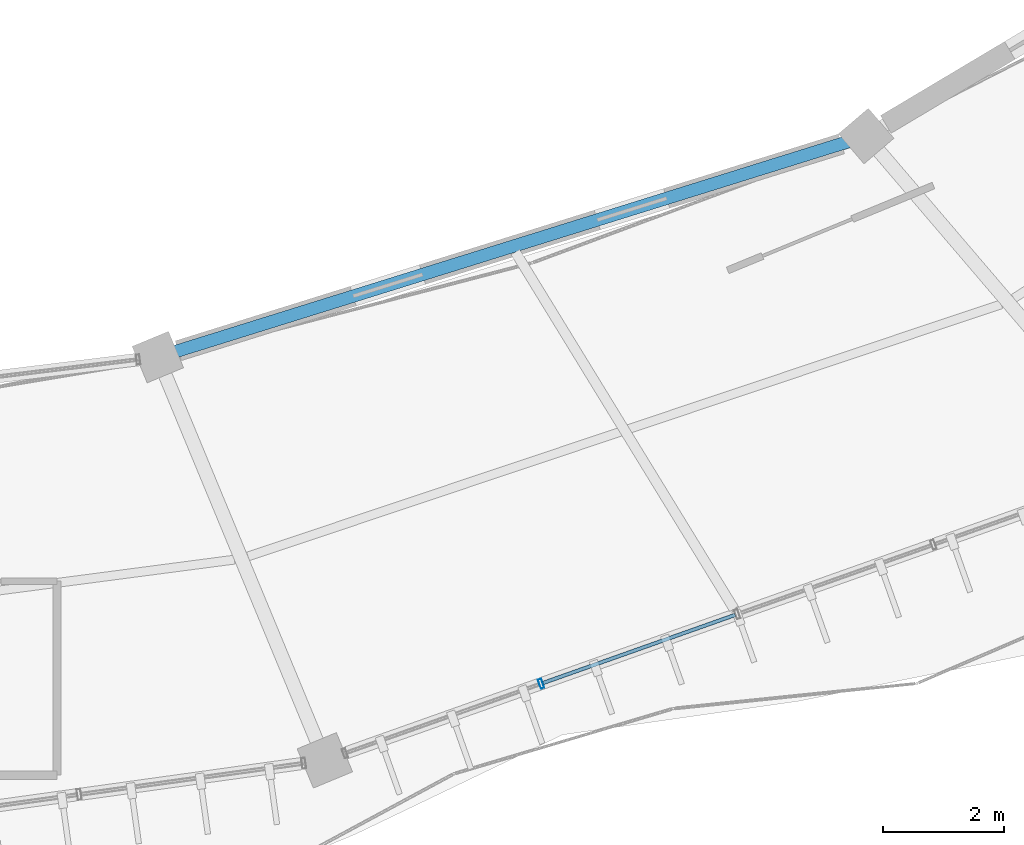
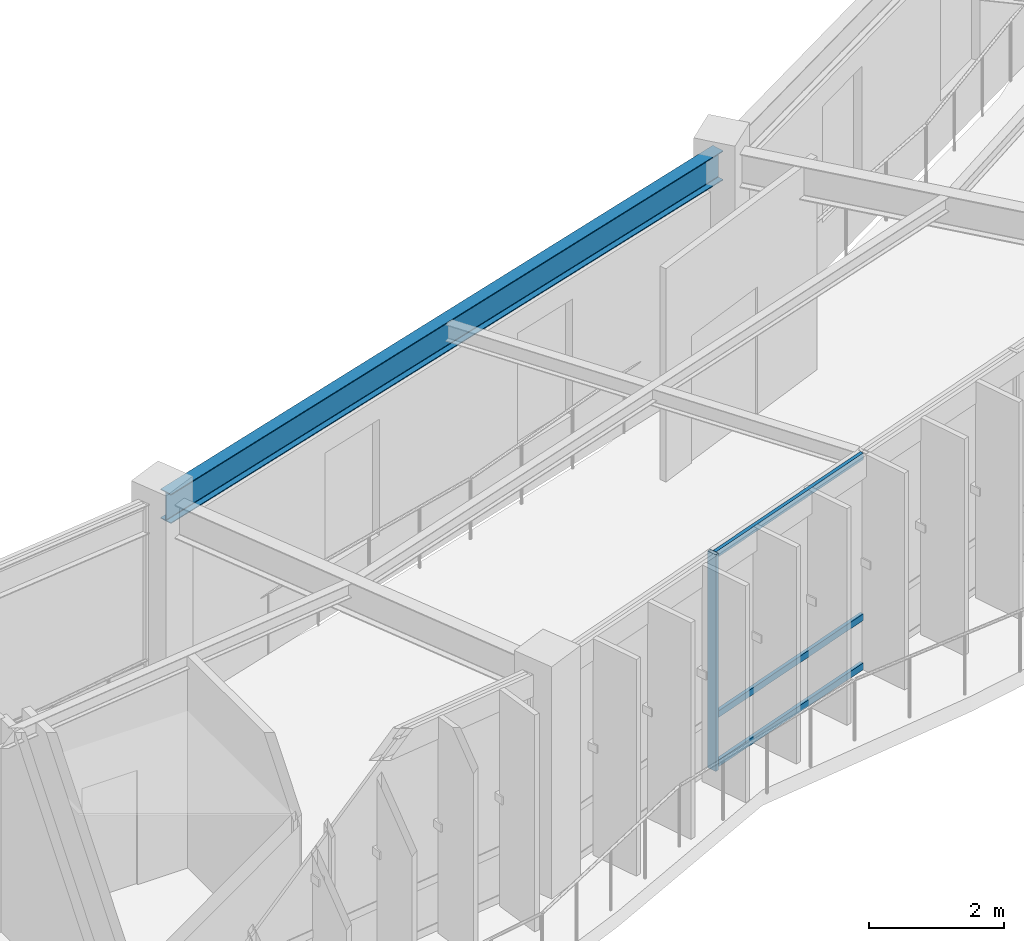
# One storey, part 55 of 138: 4 members, 1 beam, 1 element without a shape of its own.
"""IFC4 building model written with IfcOpenShell, lengths in metres."""

from ifc_helpers import new_model, si_unit, direction, frame, origin, origin_2d, place, context, subcontext, project, spatial, hollow_rectangle, i_section, extrude, material, material_profile, profile_set, type_object, element, aggregate, save


model = new_model("IFC4")

# Units and contexts
model_context = context("Model", 3, precision=1e-05, world=origin(), true_north=direction((0.0, 1.0)))
body_context = subcontext(model_context, "Body", "Model", "MODEL_VIEW")
ifc_project = project(units=[si_unit("LENGTHUNIT", "METRE"), si_unit("AREAUNIT", "SQUARE_METRE"), si_unit("VOLUMEUNIT", "CUBIC_METRE"), si_unit("PLANEANGLEUNIT", "RADIAN"), si_unit("MASSUNIT", "GRAM", prefix="KILO"), si_unit("THERMODYNAMICTEMPERATUREUNIT", "KELVIN"), si_unit("POWERUNIT", "WATT")], contexts=[model_context])

# Site, building, storey
site_placement = place(None, origin())
site = spatial("IfcSite", under=ifc_project, at=site_placement, CompositionType="ELEMENT")
building_placement = place(site_placement, origin())
building = spatial("IfcBuilding", under=site, at=building_placement, Name="Darbajah Civic Hall", CompositionType="ELEMENT")
storey_placement = place(building_placement, frame((0.0, 0.0, 9.60009765625)))
storey = spatial("IfcBuildingStorey", under=building, at=storey_placement, Name="L02", CompositionType="ELEMENT", Elevation=9.60009765625)

# Curtain wall, members
ifc_material_1 = material(Name="Anodised Bronze Aluminium and Low-E Glazing", Category="aluminium")
curtain_wall_type = type_object("IfcCurtainWallType", Name="Unitised Curtain Wall CW-33 13700x3900", PredefinedType="USERDEFINED", material=ifc_material_1)
curtain_wall_placement = place(storey_placement, origin())
curtain_wall = element("IfcCurtainWall", 1, at=curtain_wall_placement, inside=storey, type_object=curtain_wall_type, Name="L02 unitised curtain wall CW-V1O-L02-16", ObjectType="UNITISED CURTAIN WALL", PredefinedType="USERDEFINED")
ifc_material_2 = material(Name="Anodised Bronze Aluminium", Category="aluminium")
ifc_material_profile_1 = material_profile(ifc_material_2, hollow_rectangle(XDim=0.06005859375, YDim=0.159912109375, WallThickness=0.00341796875, at=origin_2d()), Name="ALU MULLION 60x160")
ifc_profile_set_1 = profile_set([ifc_material_profile_1], Name="Anodised Bronze Aluminium")
member_type_1 = type_object("IfcMemberType", Name="ALU MULLION 60x160", PredefinedType="MULLION", material=ifc_profile_set_1)
member_1_placement = place(storey_placement, frame((112.18408203125, 63.81005859375, 0.0), z_axis=(0.0, 0.0, 1.0), x_axis=(0.94252491309, 0.334135882844, 0.0)))
member_1 = element("IfcMember", 2, at=member_1_placement, type_object=member_type_1, Name="CW-V1O-L02-16 mullion 2", PredefinedType="MULLION", context=body_context, shape_type="SweptSolid", body=[
    extrude(hollow_rectangle(XDim=0.06005859375, YDim=0.159912109375, WallThickness=0.00341796875, at=origin_2d()), origin(), (0.0, 0.0, 1.0), 3.919921875),
])
ifc_material_profile_2 = material_profile(ifc_material_2, hollow_rectangle(XDim=0.06005859375, YDim=0.1201171875, WallThickness=0.003173828125, at=origin_2d()), Name="ALU TRANSOM 60x120")
ifc_profile_set_2 = profile_set([ifc_material_profile_2], Name="Anodised Bronze Aluminium")
member_type_2 = type_object("IfcMemberType", Name="ALU TRANSOM 60x120", PredefinedType="USERDEFINED", material=ifc_profile_set_2)
member_2_placement = place(storey_placement, frame((112.217041015625, 63.82177734375, 0.059814453125), z_axis=(0.942553897756, 0.334054112122, 0.0), x_axis=(-0.334054112122, 0.942553897756, 0.0)))
member_2 = element("IfcMember", 3, at=member_2_placement, type_object=member_type_2, Name="CW-V1O-L02-16 transom 2.1", ObjectType="TRANSOM", PredefinedType="USERDEFINED", context=body_context, shape_type="SweptSolid", body=[
    extrude(hollow_rectangle(XDim=0.06005859375, YDim=0.1201171875, WallThickness=0.003173828125, at=origin_2d()), origin(), (0.0, 0.0, 1.0), 3.362548828125),
])
member_3_placement = place(storey_placement, frame((112.217041015625, 63.82177734375, 0.949951171875), z_axis=(0.942553897756, 0.334054112122, 0.0), x_axis=(-0.334054112122, 0.942553897756, 0.0)))
member_3 = element("IfcMember", 4, at=member_3_placement, type_object=member_type_2, Name="CW-V1O-L02-16 transom 2.2", ObjectType="TRANSOM", PredefinedType="USERDEFINED", context=body_context, shape_type="SweptSolid", body=[
    extrude(hollow_rectangle(XDim=0.06005859375, YDim=0.1201171875, WallThickness=0.003173828125, at=origin_2d()), origin(), (0.0, 0.0, 1.0), 3.362548828125),
])
member_4_placement = place(storey_placement, frame((112.217041015625, 63.82177734375, 3.85986328125), z_axis=(0.942553897756, 0.334054112122, 0.0), x_axis=(-0.334054112122, 0.942553897756, 0.0)))
member_4 = element("IfcMember", 5, at=member_4_placement, type_object=member_type_2, Name="CW-V1O-L02-16 transom 2.3", ObjectType="TRANSOM", PredefinedType="USERDEFINED", context=body_context, shape_type="SweptSolid", body=[
    extrude(hollow_rectangle(XDim=0.06005859375, YDim=0.1201171875, WallThickness=0.003173828125, at=origin_2d()), origin(), (0.0, 0.0, 1.0), 3.362548828125),
])
aggregate(curtain_wall, [member_1, member_2, member_3, member_4])

# Beam
ifc_material_3 = material(Name="Steel S355JR", Category="steel")
ifc_material_profile_3 = material_profile(ifc_material_3, i_section(OverallWidth=0.209228515625, OverallDepth=0.533203125, WebThickness=0.010009765625, FlangeThickness=0.015625, FilletRadius=0.0126953125, at=origin_2d()), Name="UB 533x210x92")
ifc_profile_set_3 = profile_set([ifc_material_profile_3], Name="Steel S355JR")
beam_type = type_object("IfcBeamType", Name="UB 533x210x92", PredefinedType="BEAM", material=ifc_profile_set_3)
beam_placement = place(storey_placement, frame((105.93798828125, 69.22119140625, 3.6533203125), z_axis=(0.954614020433, 0.297845718441, 0.0), x_axis=(-0.297845718441, 0.954614020433, 0.0)))
element("IfcBeam", 6, at=beam_placement, inside=storey, type_object=beam_type, Name="L02 beam SB-533", PredefinedType="BEAM", context=body_context, shape_type="SweptSolid", body=[
    extrude(i_section(OverallWidth=0.209228515625, OverallDepth=0.533203125, WebThickness=0.010009765625, FlangeThickness=0.015625, FilletRadius=0.0126953125, at=origin_2d()), origin(), (0.0, 0.0, 1.0), 12.079833984375),
])

save(model, "model.ifc")
